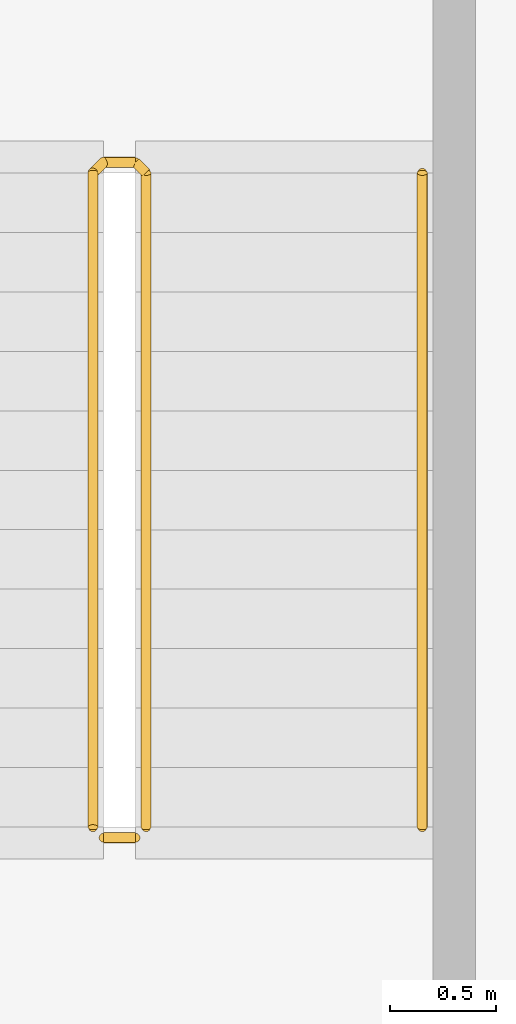
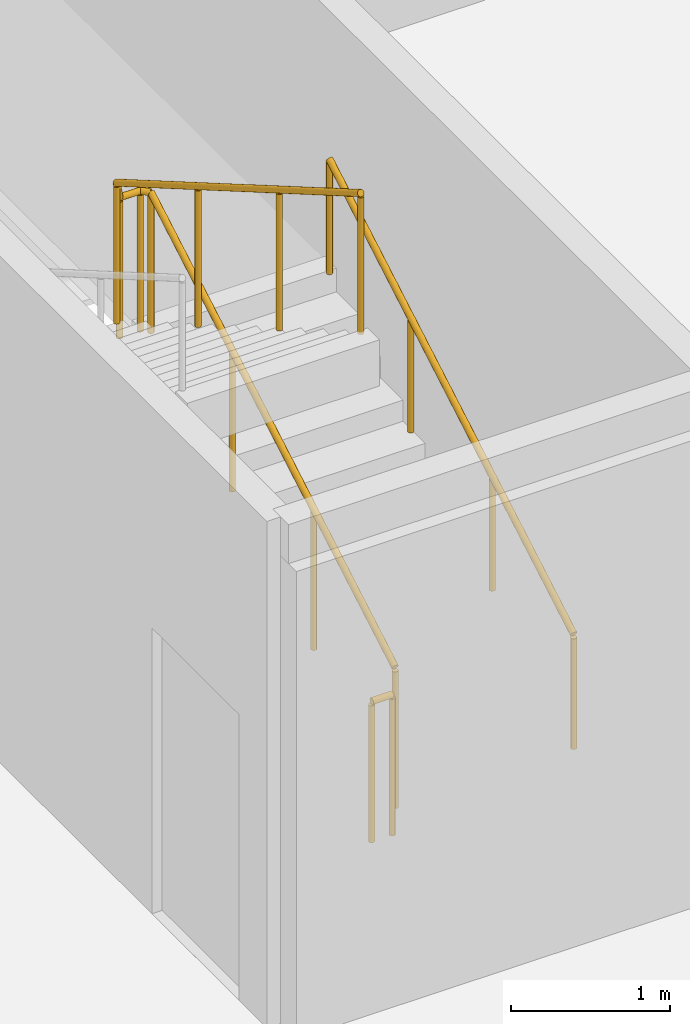
# One storey, part 22 of 23: 3 railings.
"""IFC4 building model written with IfcOpenShell, lengths in metres."""

from ifc_helpers import new_model, si_unit, direction, frame, origin, origin_2d, place, context, subcontext, project, spatial, circle, extrude, material, type_object, element, save


model = new_model("IFC4")

# Units and contexts
model_context = context("Model", 3, precision=1e-05, world=origin(), true_north=direction((0.0, 1.0)))
body_context = subcontext(model_context, "Body", "Model", "MODEL_VIEW")
ifc_project = project(units=[si_unit("LENGTHUNIT", "METRE"), si_unit("AREAUNIT", "SQUARE_METRE"), si_unit("VOLUMEUNIT", "CUBIC_METRE"), si_unit("PLANEANGLEUNIT", "RADIAN"), si_unit("MASSUNIT", "GRAM", prefix="KILO")], contexts=[model_context])

# Site, building, storey
site_placement = place(None, origin())
site = spatial("IfcSite", under=ifc_project, at=site_placement, CompositionType="ELEMENT")
building_placement = place(site_placement, origin())
building = spatial("IfcBuilding", under=site, at=building_placement, Name="Kheshtan School and Residences Tower", CompositionType="ELEMENT")
storey_placement = place(building_placement, frame((0.0, 0.0, 259.10009765625)))
storey = spatial("IfcBuildingStorey", under=building, at=storey_placement, Name="L61", CompositionType="ELEMENT", Elevation=259.10009765625)

# Railings
ifc_material_1 = material(Name="Stainless steel balustrade", Category="steel")
railing_type_1 = type_object("IfcRailingType", Name="Stair guard 1100", PredefinedType="GUARDRAIL", material=ifc_material_1)
railing_1_placement = place(storey_placement, frame((35.0, 80.89990234375, 0.162353515625)))
element("IfcRailing", 1, at=railing_1_placement, inside=storey, type_object=railing_type_1, Name="L61 ST3 stair guard 1", PredefinedType="GUARDRAIL", context=body_context, shape_type="SweptSolid", body=[
    extrude(circle(Radius=0.02392578125, at=origin_2d()), frame((0.0, 0.0, 1.076171875), z_axis=(0.0, 0.864890721111, 0.501960198159), x_axis=(-1.0, 0.0, 0.0)), (0.0, 0.0, 1.0), 3.561279296875),
    extrude(circle(Radius=0.02392578125, at=origin_2d()), frame((0.0, 3.080078125, 2.86376953125), z_axis=(-0.707106781187, 0.707106781187, 0.0), x_axis=(-0.707106781187, -0.707106781187, 0.0)), (0.0, 0.0, 1.0), 0.07080078125),
    extrude(circle(Radius=0.02392578125, at=origin_2d()), frame((-0.050048828125, 3.130126953125, 2.86376953125), z_axis=(-1.0, 0.0, 0.0), x_axis=(0.0, -1.0, 0.0)), (0.0, 0.0, 1.0), 0.14990234375),
    extrude(circle(Radius=0.02392578125, at=origin_2d()), frame((-0.199951171875, 3.130126953125, 2.86376953125), z_axis=(-0.282583949758, -0.282583949758, 0.916674763849), x_axis=(0.707106781187, -0.707106781187, 0.0)), (0.0, 0.0, 1.0), 0.177001953125),
    extrude(circle(Radius=0.02392578125, at=origin_2d()), frame((-0.25, 3.080078125, 3.02587890625), z_axis=(0.0, -0.864890721111, 0.501960198159), x_axis=(1.0, 0.0, 0.0)), (0.0, 0.0, 1.0), 3.561279296875),
    extrude(circle(Radius=0.02099609375, at=origin_2d()), origin(), (0.0, 0.0, 1.0), 1.052001953125),
    extrude(circle(Radius=0.02099609375, at=origin_2d()), frame((0.0, 1.026611328125, 0.595947265625)), (0.0, 0.0, 1.0), 1.052001953125),
    extrude(circle(Radius=0.02099609375, at=origin_2d()), frame((0.0, 2.053466796875, 1.191650390625)), (0.0, 0.0, 1.0), 1.052001953125),
    extrude(circle(Radius=0.02099609375, at=origin_2d()), frame((0.0, 3.080078125, 1.78759765625)), (0.0, 0.0, 1.0), 1.052001953125),
    extrude(circle(Radius=0.02099609375, at=origin_2d()), frame((-0.050048828125, 3.130126953125, 1.78759765625)), (0.0, 0.0, 1.0), 1.052001953125),
    extrude(circle(Radius=0.02099609375, at=origin_2d()), frame((-0.199951171875, 3.130126953125, 1.78759765625)), (0.0, 0.0, 1.0), 1.052001953125),
    extrude(circle(Radius=0.02099609375, at=origin_2d()), frame((-0.25, 3.080078125, 1.949951171875)), (0.0, 0.0, 1.0), 1.052001953125),
    extrude(circle(Radius=0.02099609375, at=origin_2d()), frame((-0.25, 2.053466796875, 2.5458984375)), (0.0, 0.0, 1.0), 1.052001953125),
    extrude(circle(Radius=0.02099609375, at=origin_2d()), frame((-0.25, 1.026611328125, 3.1416015625)), (0.0, 0.0, 1.0), 1.052001953125),
    extrude(circle(Radius=0.02099609375, at=origin_2d()), frame((-0.25, 0.0, 3.737548828125)), (0.0, 0.0, 1.0), 1.052001953125),
])
railing_2_placement = place(storey_placement, frame((34.949951171875, 80.85009765625, 0.0)))
element("IfcRailing", 2, at=railing_2_placement, inside=storey, type_object=railing_type_1, Name="L61 ST3 stair guard 2", PredefinedType="GUARDRAIL", context=body_context, shape_type="SweptSolid", body=[
    extrude(circle(Radius=0.02392578125, at=origin_2d()), frame((0.0, 0.0, 1.076171875), z_axis=(-1.0, 0.0, 0.0), x_axis=(0.0, -1.0, 0.0)), (0.0, 0.0, 1.0), 0.14990234375),
    extrude(circle(Radius=0.02099609375, at=origin_2d()), origin(), (0.0, 0.0, 1.0), 1.052001953125),
    extrude(circle(Radius=0.02099609375, at=origin_2d()), frame((-0.14990234375, 0.0, 0.0)), (0.0, 0.0, 1.0), 1.052001953125),
])
ifc_material_2 = material(Name="Stainless steel handrail", Category="steel")
railing_type_2 = type_object("IfcRailingType", Name="Stair handrail 900", PredefinedType="HANDRAIL", material=ifc_material_2)
railing_3_placement = place(storey_placement, frame((36.300048828125, 80.89990234375, 0.162353515625)))
element("IfcRailing", 3, at=railing_3_placement, inside=storey, type_object=railing_type_2, Name="L61 ST3 stair handrail 1", PredefinedType="HANDRAIL", context=body_context, shape_type="SweptSolid", body=[
    extrude(circle(Radius=0.02392578125, at=origin_2d()), frame((0.0, 0.0, 0.8759765625), z_axis=(0.0, 0.864890721111, 0.501960198159), x_axis=(-1.0, 0.0, 0.0)), (0.0, 0.0, 1.0), 3.561279296875),
    extrude(circle(Radius=0.02099609375, at=origin_2d()), origin(), (0.0, 0.0, 1.0), 0.851806640625),
    extrude(circle(Radius=0.02099609375, at=origin_2d()), frame((0.0, 1.026611328125, 0.595947265625)), (0.0, 0.0, 1.0), 0.851806640625),
    extrude(circle(Radius=0.02099609375, at=origin_2d()), frame((0.0, 2.053466796875, 1.191650390625)), (0.0, 0.0, 1.0), 0.851806640625),
    extrude(circle(Radius=0.02099609375, at=origin_2d()), frame((0.0, 3.080078125, 1.78759765625)), (0.0, 0.0, 1.0), 0.851806640625),
])

save(model, "model.ifc")
